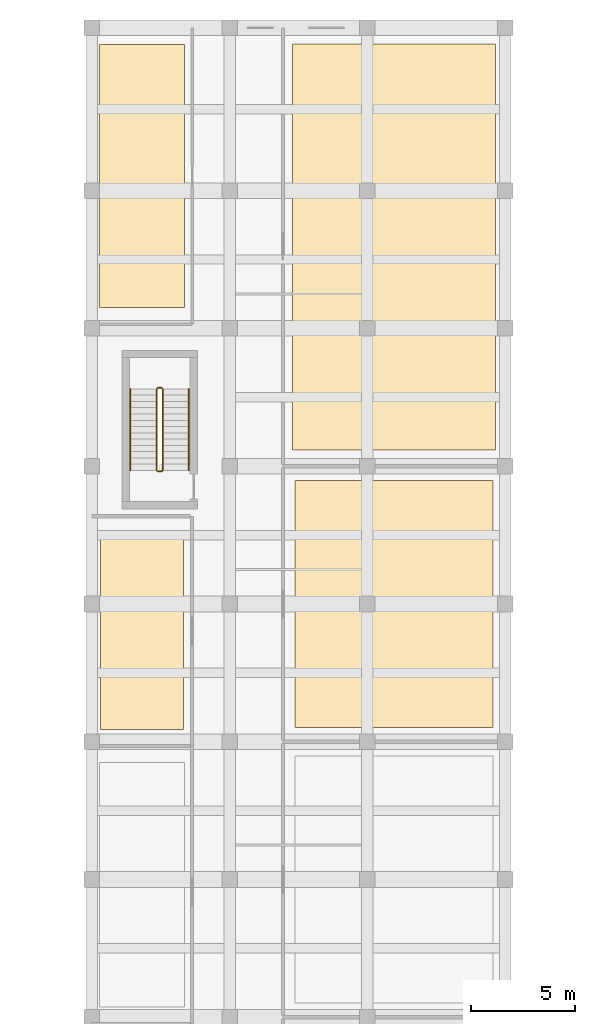
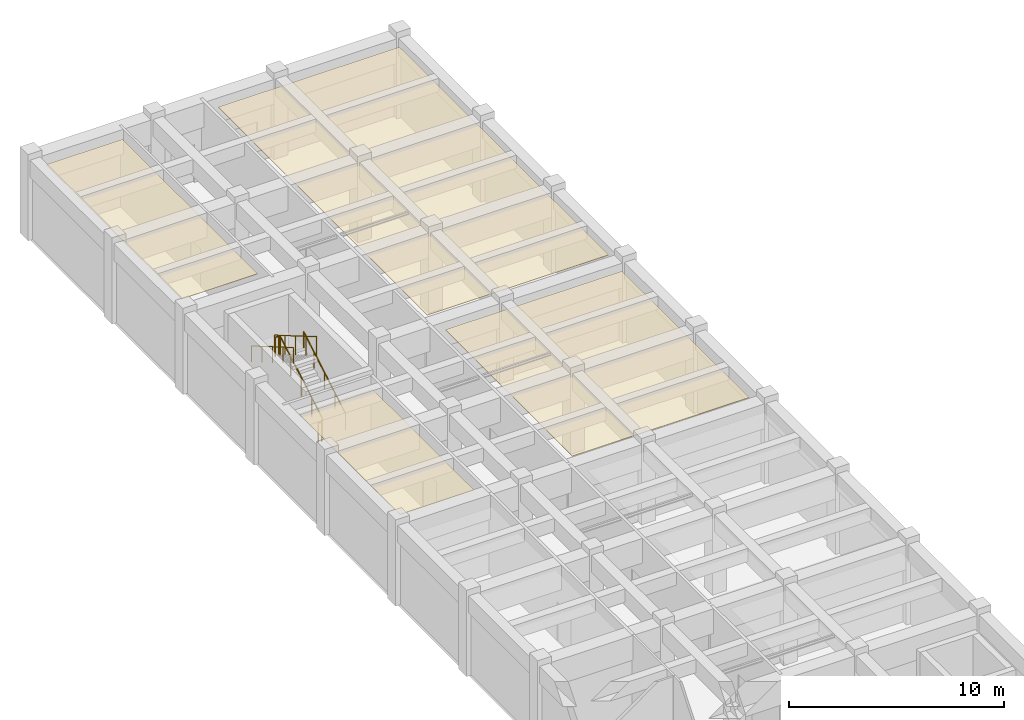
# One storey, part 144 of 144: 6 railings, 4 coverings.
"""IFC4 building model written with IfcOpenShell, lengths in metres."""

import ifcopenshell
import ifcopenshell.guid

model = None  # the IFC model being written
_history = None  # IfcOwnerHistory: only IFC2X3 demands one
_inside = {}  # id of a spatial element -> (the spatial element, [elements in it])
_under = {}  # id of a project, library or spatial element -> (it, [spatial elements below it])
_declared = {}  # id of a project -> (the project, [libraries it declares])
_typed = {}  # id of a type object -> (the type object, [elements of that type])
_made_of = {}  # id of a material, layer set ... -> (it, [elements and type objects made of it])


def new_model(schema):
    """Start an empty IFC model of exactly this schema.

    Asked for "IFC4X3", IfcOpenShell would pick the latest addendum, in which some entities
    have other attributes; the version numbers below select the first issue.
    IFC2X3 requires an IfcOwnerHistory on every rooted entity: one is made here for all.
    """
    global model, _history
    if schema == "IFC4X3":
        model = ifcopenshell.file(schema_version=(4, 3, 0, 0))
    else:
        model = ifcopenshell.file(schema=schema)
    _inside.clear()
    _under.clear()
    _declared.clear()
    _typed.clear()
    _made_of.clear()
    _history = None
    if model.schema == "IFC2X3":
        org = make("IfcOrganization", Name="unknown")
        user = make(
            "IfcPersonAndOrganization",
            ThePerson=make("IfcPerson", FamilyName="unknown"),
            TheOrganization=org,
        )
        app = make(
            "IfcApplication",
            ApplicationDeveloper=org,
            Version="unknown",
            ApplicationFullName="unknown",
            ApplicationIdentifier="unknown",
        )
        _history = make(
            "IfcOwnerHistory",
            OwningUser=user,
            OwningApplication=app,
            ChangeAction="ADDED",
            CreationDate=0,
        )
    return model


def make(cls, **values):
    """One entity of the class cls with the attributes given. An attribute that is None is left unset."""
    return model.create_entity(
        cls, **{name: value for name, value in values.items() if value is not None}
    )


def rooted(cls, **values):
    """An entity with a GlobalId (a new one), such as an element, a storey or a relation."""
    return make(cls, GlobalId=ifcopenshell.guid.new(), OwnerHistory=_history, **values)


def si_unit(unit_type, name, prefix=None):
    """IfcSIUnit, for example si_unit("LENGTHUNIT", "METRE", prefix="MILLI")."""
    return make("IfcSIUnit", UnitType=unit_type, Prefix=prefix, Name=name)


def assignment(units):
    """IfcUnitAssignment: the units of a project."""
    return None if units is None else make("IfcUnitAssignment", Units=units)


def point(xyz):
    """IfcCartesianPoint."""
    return None if xyz is None else make("IfcCartesianPoint", Coordinates=xyz)


def direction(xyz):
    """IfcDirection."""
    return None if xyz is None else make("IfcDirection", DirectionRatios=xyz)


def frame(location, z_axis=None, x_axis=None):
    """IfcAxis2Placement3D, a coordinate frame: its origin and axes. An axis left out is left unset."""
    return make(
        "IfcAxis2Placement3D",
        Location=point(location),
        Axis=direction(z_axis),
        RefDirection=direction(x_axis),
    )


def frame_2d(location, x_axis=None):
    """IfcAxis2Placement2D, a coordinate frame in the plane: its origin and x axis."""
    return make(
        "IfcAxis2Placement2D", Location=point(location), RefDirection=direction(x_axis)
    )


def origin():
    """The frame at (0, 0, 0) with its axes left unset."""
    return frame((0.0, 0.0, 0.0))


def origin_2d():
    """The frame at (0, 0) in the plane with its x axis left unset."""
    return frame_2d((0.0, 0.0))


def place(relative_to, where):
    """IfcLocalPlacement: puts the frame where relative to a parent placement (None: the world)."""
    return make(
        "IfcLocalPlacement", PlacementRelTo=relative_to, RelativePlacement=where
    )


def context(
    kind, dimensions, precision=None, world=None, true_north=None, identifier=None
):
    """IfcGeometricRepresentationContext, for example the 3D "Model" context."""
    return make(
        "IfcGeometricRepresentationContext",
        ContextIdentifier=identifier,
        ContextType=kind,
        CoordinateSpaceDimension=dimensions,
        Precision=precision,
        WorldCoordinateSystem=world,
        TrueNorth=true_north,
    )


def subcontext(parent, identifier, kind, view, scale=None):
    """IfcGeometricRepresentationSubContext, for example "Body" below "Model"."""
    return make(
        "IfcGeometricRepresentationSubContext",
        ContextIdentifier=identifier,
        ContextType=kind,
        ParentContext=parent,
        TargetScale=scale,
        TargetView=view,
    )


def project(units=None, contexts=None):
    """IfcProject with its units and contexts."""
    return rooted(
        "IfcProject",
        Name="project",
        RepresentationContexts=contexts,
        UnitsInContext=assignment(units),
    )


def spatial(cls, under=None, at=None, **own):
    """A site, building, storey or space (cls), placed at a placement, below another one or the project."""
    s = rooted(cls, ObjectPlacement=at, **own)
    if under is not None:
        _under.setdefault(under.id(), (under, []))[1].append(s)
    return s


def polyline(points):
    """IfcPolyline through the points."""
    return make("IfcPolyline", Points=[point(p) for p in points])


def profile(cls, at=None, kind="AREA", **sizes):
    """A parametric profile (cls). Its sizes go by their IFC names, for example OverallWidth=200.0."""
    return make(cls, ProfileType=kind, Position=at, **sizes)


def circle(**sizes):
    """IfcCircleProfileDef."""
    return profile("IfcCircleProfileDef", **sizes)


def outline(outer, holes=None, kind="AREA"):
    """IfcArbitraryClosedProfileDef: a profile drawn as a closed curve; with holes, ...WithVoids."""
    if holes is None:
        return make("IfcArbitraryClosedProfileDef", ProfileType=kind, OuterCurve=outer)
    return make(
        "IfcArbitraryProfileDefWithVoids",
        ProfileType=kind,
        OuterCurve=outer,
        InnerCurves=holes,
    )


def extrude(swept, where, along, depth):
    """IfcExtrudedAreaSolid: the profile swept, set in the frame where, extruded along a direction by depth."""
    return make(
        "IfcExtrudedAreaSolid",
        SweptArea=swept,
        Position=where,
        ExtrudedDirection=direction(along),
        Depth=depth,
    )


def shape(context_of_items, identifier, shape_type, items):
    """IfcShapeRepresentation: the items that make up one representation, for example the "Body"."""
    return make(
        "IfcShapeRepresentation",
        ContextOfItems=context_of_items,
        RepresentationIdentifier=identifier,
        RepresentationType=shape_type,
        Items=items,
    )


def material(Name=None, Category=None):
    """IfcMaterial."""
    return make("IfcMaterial", Name=Name, Category=Category)


def layer(
    of_material, thickness, ventilated=None, Name=None, Category=None, Priority=None
):
    """IfcMaterialLayer: one layer of a wall or slab, of a material (None: an air gap)."""
    return make(
        "IfcMaterialLayer",
        Material=of_material,
        LayerThickness=thickness,
        IsVentilated=ventilated,
        Name=Name,
        Category=Category,
        Priority=Priority,
    )


def layer_set(layers, Name=None):
    """IfcMaterialLayerSet."""
    return make("IfcMaterialLayerSet", MaterialLayers=layers, LayerSetName=Name)


def made_of(thing, what):
    """Note that an element or type object is made of a material, layer set ...; save() writes the relation."""
    if what is not None:
        _made_of.setdefault(what.id(), (what, []))[1].append(thing)
    return thing


def type_object(cls, material=None, **own):
    """A type object (cls), such as IfcWallType, which elements share."""
    return made_of(rooted(cls, **own), material)


def element(
    cls,
    number,
    at=None,
    inside=None,
    cuts=None,
    type_object=None,
    material=None,
    context=None,
    identifier="Body",
    shape_type=None,
    held_by="IfcProductDefinitionShape",
    body=None,
    shapes=None,
    **own,
):
    """One element of the class cls, such as IfcWall. Its Tag is "e" and its number.

    at: its placement. inside: the storey or other place that contains it. cuts: it is an
    opening in that element (IfcRelVoidsElement). A single representation is given by context,
    identifier, shape_type and body (its items); several are given by shapes. held_by: the class
    of the entity that holds the representations. save() writes the other relations.
    """
    e = rooted(cls, Tag="e%d" % number, ObjectPlacement=at, **own)
    if body is not None:
        shapes = [shape(context, identifier, shape_type, body)]
    if shapes is not None:
        e.Representation = make(held_by, Representations=shapes)
    if inside is not None:
        _inside.setdefault(inside.id(), (inside, []))[1].append(e)
    if cuts is not None:
        rooted(
            "IfcRelVoidsElement", RelatingBuildingElement=cuts, RelatedOpeningElement=e
        )
    if type_object is not None:
        _typed.setdefault(type_object.id(), (type_object, []))[1].append(e)
    return made_of(e, material)


def aggregate(whole, parts):
    """IfcRelAggregates: a whole, such as a stair, and the parts it consists of."""
    return rooted("IfcRelAggregates", RelatingObject=whole, RelatedObjects=parts)


def save(model, path):
    """Write the relations noted so far, then the file.

    IfcRelAggregates (storeys below a building ...), IfcRelContainedInSpatialStructure (elements
    in a storey), IfcRelDefinesByType, IfcRelAssociatesMaterial and IfcRelDeclares: one each for
    every whole, place, type object, material and project.
    """
    for whole, parts in _under.values():
        aggregate(whole, parts)
    for where, things in _inside.values():
        rooted(
            "IfcRelContainedInSpatialStructure",
            RelatedElements=things,
            RelatingStructure=where,
        )
    for kind, things in _typed.values():
        rooted("IfcRelDefinesByType", RelatedObjects=things, RelatingType=kind)
    for what, things in _made_of.values():
        rooted("IfcRelAssociatesMaterial", RelatedObjects=things, RelatingMaterial=what)
    for by, libraries in _declared.values():
        rooted("IfcRelDeclares", RelatingContext=by, RelatedDefinitions=libraries)
    model.write(path)


model = new_model("IFC4")

# Units and contexts
model_context = context("Model", 3, precision=1e-05, world=origin(), true_north=direction((0.0, 1.0)))
body_context = subcontext(model_context, "Body", "Model", "MODEL_VIEW")
ifc_project = project(units=[si_unit("LENGTHUNIT", "METRE"), si_unit("AREAUNIT", "SQUARE_METRE"), si_unit("VOLUMEUNIT", "CUBIC_METRE"), si_unit("PLANEANGLEUNIT", "RADIAN"), si_unit("MASSUNIT", "GRAM", prefix="KILO")], contexts=[model_context])

# Site, building, storey
site_placement = place(None, origin())
site = spatial("IfcSite", under=ifc_project, at=site_placement, CompositionType="ELEMENT")
building_placement = place(site_placement, origin())
building = spatial("IfcBuilding", under=site, at=building_placement, Name="Karori Crest Natural Sciences Institute", CompositionType="ELEMENT")
storey_placement = place(building_placement, origin())
storey = spatial("IfcBuildingStorey", under=building, at=storey_placement, Name="L00", CompositionType="ELEMENT", Elevation=0.0)

# Coverings
ifc_material_1 = material(Name="Acoustic mineral fibre ceiling tile")
ifc_layer = layer(ifc_material_1, 0.02490234375, Name="Acoustic mineral fibre ceiling tile")
ifc_layer_set = layer_set([ifc_layer], Name="Acoustic mineral fibre ceiling tile")
covering_type = type_object("IfcCoveringType", Name="CVT-CEIL", PredefinedType="CEILING", material=ifc_layer_set)
covering_1_placement = place(storey_placement, frame((0.0, 0.0, 4.324951171875)))
element("IfcCovering", 1, at=covering_1_placement, inside=storey, type_object=covering_type, Name="Acoustic ceiling CLG-0017", PredefinedType="CEILING", context=body_context, shape_type="SweptSolid", body=[
    extrude(outline(polyline([(7.81201171875, 138.014892578125), (7.81201171875, 128.5849609375), (11.7880859375, 128.5849609375), (11.7880859375, 138.014892578125), (7.81201171875, 138.014892578125)])), origin(), (0.0, 0.0, 1.0), 0.025146484375),
])
covering_2_placement = place(storey_placement, frame((0.0, 0.0, 4.324951171875)))
element("IfcCovering", 2, at=covering_2_placement, inside=storey, type_object=covering_type, Name="Acoustic ceiling CLG-0018", PredefinedType="CEILING", context=body_context, shape_type="SweptSolid", body=[
    extrude(outline(polyline([(7.756103515625, 161.394287109375), (7.756103515625, 148.805908203125), (11.84375, 148.805908203125), (11.84375, 161.394287109375), (7.756103515625, 161.394287109375)])), origin(), (0.0, 0.0, 1.0), 0.025146484375),
])
covering_3_placement = place(storey_placement, frame((0.0, 0.0, 4.324951171875)))
element("IfcCovering", 3, at=covering_3_placement, inside=storey, type_object=covering_type, Name="Acoustic ceiling CLG-0021", PredefinedType="CEILING", context=body_context, shape_type="SweptSolid", body=[
    extrude(outline(polyline([(17.128173828125, 140.51416015625), (17.128173828125, 128.685791015625), (26.621826171875, 128.685791015625), (26.621826171875, 140.51416015625), (17.128173828125, 140.51416015625)])), origin(), (0.0, 0.0, 1.0), 0.025146484375),
])
covering_4_placement = place(storey_placement, frame((0.0, 0.0, 4.324951171875)))
element("IfcCovering", 4, at=covering_4_placement, inside=storey, type_object=covering_type, Name="Acoustic ceiling CLG-0022", PredefinedType="CEILING", context=body_context, shape_type="SweptSolid", body=[
    extrude(outline(polyline([(17.00341796875, 161.43408203125), (17.00341796875, 141.966064453125), (26.74658203125, 141.966064453125), (26.74658203125, 161.43408203125), (17.00341796875, 161.43408203125)])), origin(), (0.0, 0.0, 1.0), 0.025146484375),
])

# Railings
ifc_material_2 = material(Name="Stainless steel 316 tubular handrail", Category="steel")
railing_type_1 = type_object("IfcRailingType", Name="RLT-HND", PredefinedType="HANDRAIL", material=ifc_material_2)
railing_1_placement = place(storey_placement, frame((12.050048828125, 141.0, 0.175048828125)))
element("IfcRailing", 5, at=railing_1_placement, inside=storey, type_object=railing_type_1, Name="Stair handrail RL-0280", PredefinedType="HANDRAIL", context=body_context, shape_type="SweptSolid", body=[
    extrude(circle(Radius=0.02392578125, at=origin_2d()), frame((0.0, 0.0, 0.90087890625), z_axis=(0.0, 0.86378282336, 0.503864301244), x_axis=(-1.0, 0.0, 0.0)), (0.0, 0.0, 1.0), 4.514892578125),
    extrude(circle(Radius=0.02099609375, at=origin_2d()), origin(), (0.0, 0.0, 1.0), 0.876953125),
    extrude(circle(Radius=0.02099609375, at=origin_2d()), frame((0.0, 0.97509765625, 0.56884765625)), (0.0, 0.0, 1.0), 0.876953125),
    extrude(circle(Radius=0.02099609375, at=origin_2d()), frame((0.0, 1.949951171875, 1.137451171875)), (0.0, 0.0, 1.0), 0.876953125),
    extrude(circle(Radius=0.02099609375, at=origin_2d()), frame((0.0, 2.9248046875, 1.7060546875)), (0.0, 0.0, 1.0), 0.876953125),
    extrude(circle(Radius=0.02099609375, at=origin_2d()), frame((0.0, 3.89990234375, 2.27490234375)), (0.0, 0.0, 1.0), 0.876953125),
])
railing_2_placement = place(storey_placement, frame((9.25, 144.89990234375, 2.625)))
element("IfcRailing", 6, at=railing_2_placement, inside=storey, type_object=railing_type_1, Name="Stair handrail RL-0281", PredefinedType="HANDRAIL", context=body_context, shape_type="SweptSolid", body=[
    extrude(circle(Radius=0.02392578125, at=origin_2d()), frame((0.0, 0.0, 0.90087890625), z_axis=(0.0, -0.86378282336, 0.503864301244), x_axis=(1.0, 0.0, 0.0)), (0.0, 0.0, 1.0), 4.514892578125),
    extrude(circle(Radius=0.02099609375, at=origin_2d()), origin(), (0.0, 0.0, 1.0), 0.876953125),
    extrude(circle(Radius=0.02099609375, at=origin_2d()), frame((0.0, -0.97509765625, 0.56884765625)), (0.0, 0.0, 1.0), 0.876953125),
    extrude(circle(Radius=0.02099609375, at=origin_2d()), frame((0.0, -1.949951171875, 1.137451171875)), (0.0, 0.0, 1.0), 0.876953125),
    extrude(circle(Radius=0.02099609375, at=origin_2d()), frame((0.0, -2.9248046875, 1.7060546875)), (0.0, 0.0, 1.0), 0.876953125),
    extrude(circle(Radius=0.02099609375, at=origin_2d()), frame((0.0, -3.89990234375, 2.27490234375)), (0.0, 0.0, 1.0), 0.876953125),
])
ifc_material_3 = material(Name="Stainless steel 316 stair guard", Category="steel")
railing_type_2 = type_object("IfcRailingType", Name="RLT-STG", PredefinedType="GUARDRAIL", material=ifc_material_3)
railing_3_placement = place(storey_placement, frame((10.800048828125, 141.0, 0.175048828125)))
element("IfcRailing", 7, at=railing_3_placement, inside=storey, type_object=railing_type_2, Name="Stair guard RL-0276", PredefinedType="GUARDRAIL", context=body_context, shape_type="SweptSolid", body=[
    extrude(circle(Radius=0.02392578125, at=origin_2d()), frame((0.0, 0.0, 1.076171875), z_axis=(0.0, 0.86378282336, 0.503864301244), x_axis=(-1.0, 0.0, 0.0)), (0.0, 0.0, 1.0), 4.514892578125),
    extrude(circle(Radius=0.02099609375, at=origin_2d()), origin(), (0.0, 0.0, 1.0), 1.052001953125),
    extrude(circle(Radius=0.02099609375, at=origin_2d()), frame((0.0, 0.97509765625, 0.56884765625)), (0.0, 0.0, 1.0), 1.052001953125),
    extrude(circle(Radius=0.02099609375, at=origin_2d()), frame((0.0, 1.949951171875, 1.137451171875)), (0.0, 0.0, 1.0), 1.052001953125),
    extrude(circle(Radius=0.02099609375, at=origin_2d()), frame((0.0, 2.9248046875, 1.7060546875)), (0.0, 0.0, 1.0), 1.052001953125),
    extrude(circle(Radius=0.02099609375, at=origin_2d()), frame((0.0, 3.89990234375, 2.27490234375)), (0.0, 0.0, 1.0), 1.052001953125),
])
railing_4_placement = place(storey_placement, frame((10.75, 144.949951171875, 2.449951171875)))
element("IfcRailing", 8, at=railing_4_placement, inside=storey, type_object=railing_type_2, Name="Stair guard RL-0277", PredefinedType="GUARDRAIL", context=body_context, shape_type="SweptSolid", body=[
    extrude(circle(Radius=0.02392578125, at=origin_2d()), frame((0.0, 0.0, 1.076171875), z_axis=(-1.0, 0.0, 0.0), x_axis=(0.0, -1.0, 0.0)), (0.0, 0.0, 1.0), 0.199951171875),
    extrude(circle(Radius=0.02099609375, at=origin_2d()), origin(), (0.0, 0.0, 1.0), 1.052001953125),
    extrude(circle(Radius=0.02099609375, at=origin_2d()), frame((-0.199951171875, 0.0, 0.0)), (0.0, 0.0, 1.0), 1.052001953125),
])
railing_5_placement = place(storey_placement, frame((10.5, 144.89990234375, 2.625)))
element("IfcRailing", 9, at=railing_5_placement, inside=storey, type_object=railing_type_2, Name="Stair guard RL-0278", PredefinedType="GUARDRAIL", context=body_context, shape_type="SweptSolid", body=[
    extrude(circle(Radius=0.02392578125, at=origin_2d()), frame((0.0, 0.0, 1.076171875), z_axis=(0.0, -0.86378282336, 0.503864301244), x_axis=(1.0, 0.0, 0.0)), (0.0, 0.0, 1.0), 4.514892578125),
    extrude(circle(Radius=0.02099609375, at=origin_2d()), origin(), (0.0, 0.0, 1.0), 1.052001953125),
    extrude(circle(Radius=0.02099609375, at=origin_2d()), frame((0.0, -0.97509765625, 0.56884765625)), (0.0, 0.0, 1.0), 1.052001953125),
    extrude(circle(Radius=0.02099609375, at=origin_2d()), frame((0.0, -1.949951171875, 1.137451171875)), (0.0, 0.0, 1.0), 1.052001953125),
    extrude(circle(Radius=0.02099609375, at=origin_2d()), frame((0.0, -2.9248046875, 1.7060546875)), (0.0, 0.0, 1.0), 1.052001953125),
    extrude(circle(Radius=0.02099609375, at=origin_2d()), frame((0.0, -3.89990234375, 2.27490234375)), (0.0, 0.0, 1.0), 1.052001953125),
])
railing_6_placement = place(storey_placement, frame((10.75, 140.949951171875, 0.0)))
element("IfcRailing", 10, at=railing_6_placement, inside=storey, type_object=railing_type_2, Name="Stair guard RL-0279", PredefinedType="GUARDRAIL", context=body_context, shape_type="SweptSolid", body=[
    extrude(circle(Radius=0.02392578125, at=origin_2d()), frame((0.0, 0.0, 1.076171875), z_axis=(-1.0, 0.0, 0.0), x_axis=(0.0, -1.0, 0.0)), (0.0, 0.0, 1.0), 0.199951171875),
    extrude(circle(Radius=0.02099609375, at=origin_2d()), origin(), (0.0, 0.0, 1.0), 1.052001953125),
    extrude(circle(Radius=0.02099609375, at=origin_2d()), frame((-0.199951171875, 0.0, 0.0)), (0.0, 0.0, 1.0), 1.052001953125),
])

save(model, "model.ifc")
